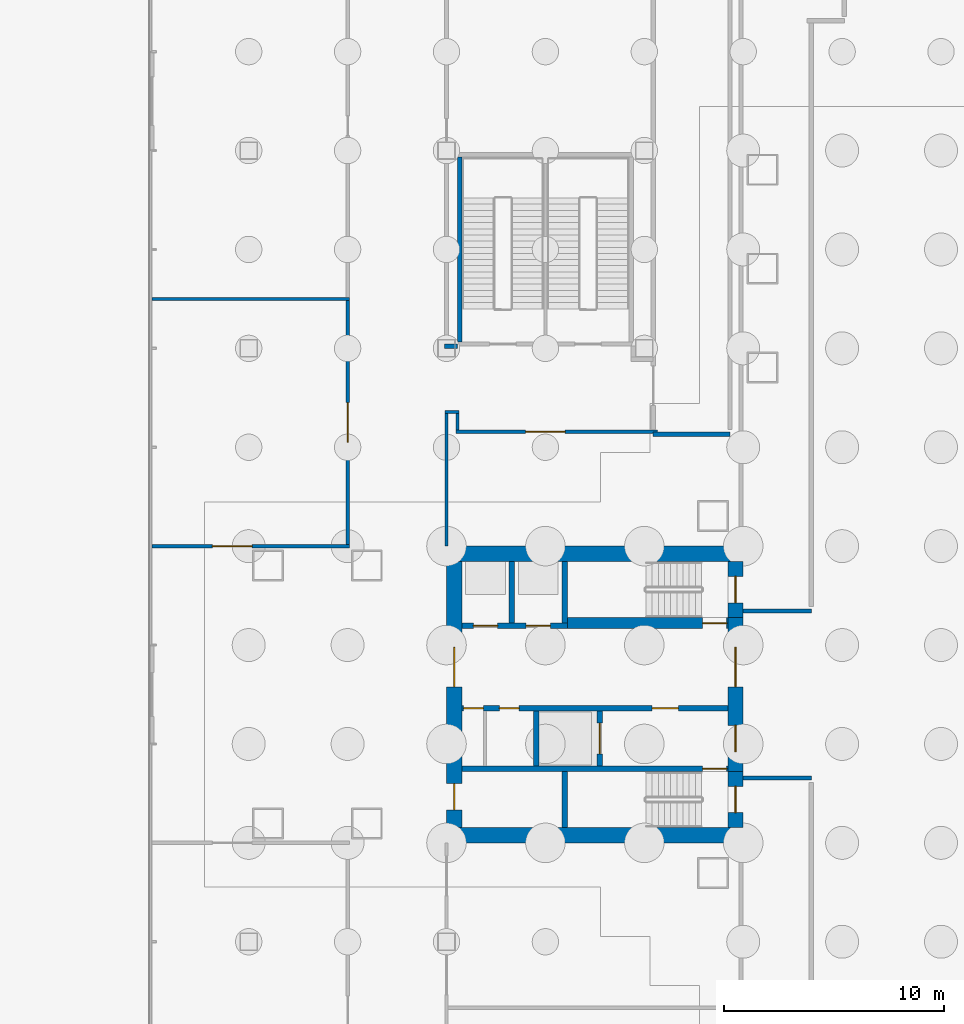
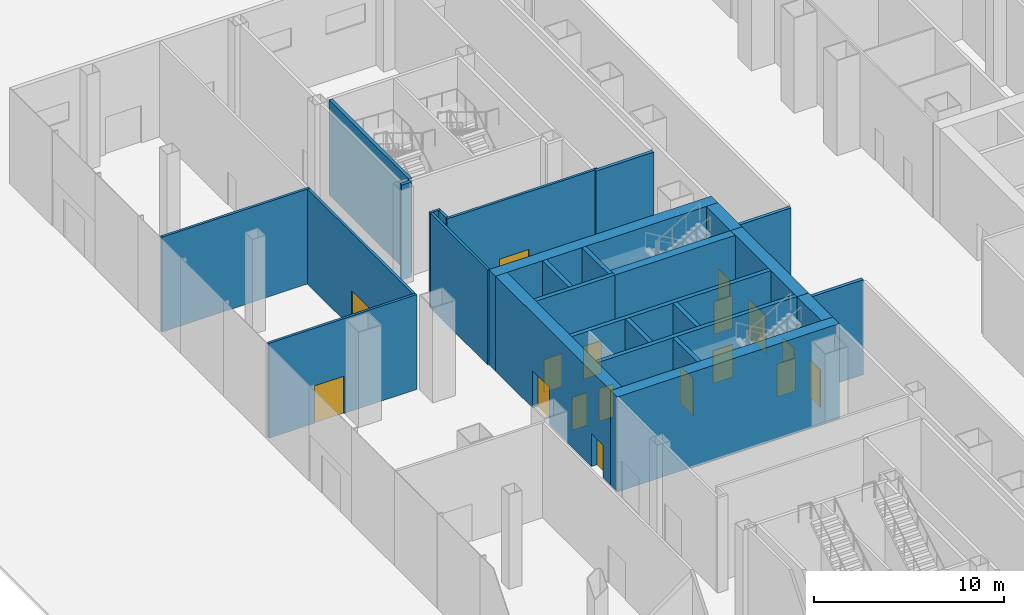
# One storey, part 18 of 37: 27 walls, 17 doors, 17 openings.
"""IFC4 building model written with IfcOpenShell, lengths in metres."""

from ifc_helpers import new_model, si_unit, direction, frame, frame_2d, origin, place, context, subcontext, project, spatial, rectangle, extrude, material, layer, layer_set, type_object, element, fill, save


model = new_model("IFC4")

# Units and contexts
model_context = context("Model", 3, precision=1e-05, world=origin(), true_north=direction((0.0, 1.0)))
body_context = subcontext(model_context, "Body", "Model", "MODEL_VIEW")
ifc_project = project(units=[si_unit("LENGTHUNIT", "METRE"), si_unit("AREAUNIT", "SQUARE_METRE"), si_unit("VOLUMEUNIT", "CUBIC_METRE"), si_unit("PLANEANGLEUNIT", "RADIAN"), si_unit("MASSUNIT", "GRAM", prefix="KILO")], contexts=[model_context])

# Site, building, storey
site_placement = place(None, origin())
site = spatial("IfcSite", under=ifc_project, at=site_placement, CompositionType="ELEMENT")
building_placement = place(site_placement, origin())
building = spatial("IfcBuilding", under=site, at=building_placement, Name="Shamsa Quay Exchange Towers", CompositionType="ELEMENT")
storey_placement = place(building_placement, origin())
storey = spatial("IfcBuildingStorey", under=building, at=storey_placement, Name="L00", CompositionType="ELEMENT", Elevation=0.0)

# Walls
ifc_material_1 = material(Name="Concrete C80/95", Category="concrete")
ifc_layer_1 = layer(ifc_material_1, 0.699951171875)
ifc_layer_set_1 = layer_set([ifc_layer_1], Name="CORE WALL 700 C80/95")
wall_type_1 = type_object("IfcWallType", Name="CORE WALL 700 C80/95", PredefinedType="SHEAR", material=ifc_layer_set_1)
for number, where, z_axis, x_axis, name in (
    (1, (-40.5, -6.39990234375, 0.0), (0.0, 0.0, 1.0), (-1.0, 0.0, 0.0), "Core wall T1B-L00-PS"),
    (2, (-40.5, 6.39990234375, 0.0), (0.0, 0.0, 1.0), (-1.0, 0.0, 0.0), "Core wall T1B-L00-PN"),
):
    element("IfcWall", number, at=place(storey_placement, frame(where, z_axis=z_axis, x_axis=x_axis)), inside=storey, type_object=wall_type_1, Name=name, PredefinedType="SHEAR", context=body_context, shape_type="SweptSolid", body=[
        extrude(rectangle(XDim=13.5, YDim=0.699951171875, at=frame_2d((6.75, 0.0))), origin(), (0.0, 0.0, 1.0), 6.10009765625),
    ])

# Wall, opening, door
wall_1_placement = place(storey_placement, frame((-40.85009765625, -3.5, 0.0), z_axis=(0.0, 0.0, 1.0), x_axis=(0.0, -1.0, 0.0)))
wall_1 = element("IfcWall", 3, at=wall_1_placement, inside=storey, type_object=wall_type_1, Name="Core wall T1B-L00-PFS", PredefinedType="SHEAR", context=body_context, shape_type="SweptSolid", body=[
    extrude(rectangle(XDim=2.550048828125, YDim=0.699951171875, at=frame_2d((1.27490234375, 0.0))), origin(), (0.0, 0.0, 1.0), 6.10009765625),
])
opening_1_placement = place(wall_1_placement, frame((0.675048828125, 0.0, 0.0)))
opening_1 = element("IfcOpeningElement", 4, at=opening_1_placement, cuts=wall_1, Name="Opening T1B-L00-XD01", PredefinedType="OPENING", context=body_context, shape_type="SweptSolid", body=[
    extrude(rectangle(XDim=1.199951171875, YDim=2.39990234375, at=frame_2d((0.60009765625, 1.199951171875))), frame((0.0, 0.35986328125, 0.0), z_axis=(0.0, -1.0, 0.0), x_axis=(1.0, 0.0, 0.0)), (0.0, 0.0, 1.0), 0.719970703125),
])
ifc_material_2 = material(Name="Steel, fire rated", Category="steel")
door_type_1 = type_object("IfcDoorType", Name="STAIR DISCHARGE DOOR 1200", OperationType="SINGLE_SWING_LEFT", PredefinedType="DOOR", material=ifc_material_2)
door_1_placement = place(opening_1_placement, origin())
door_1 = element("IfcDoor", 5, at=door_1_placement, inside=storey, type_object=door_type_1, Name="T1B-L00-XD01", OperationType="SINGLE_SWING_RIGHT", OverallHeight=2.39990234375, OverallWidth=1.199951171875, PredefinedType="DOOR", context=body_context, shape_type="SweptSolid", body=[
    extrude(rectangle(XDim=1.199951171875, YDim=2.39990234375, at=frame_2d((0.60009765625, 1.199951171875))), frame((0.0, 0.02490234375, 0.0), z_axis=(0.0, -1.0, 0.0), x_axis=(1.0, 0.0, 0.0)), (0.0, 0.0, 1.0), 0.050048828125),
])
fill(opening_1, door_1)

# Wall, openings, doors
wall_2_placement = place(storey_placement, frame((-40.85009765625, -3.5, 0.0), z_axis=(0.0, 0.0, 1.0), x_axis=(0.0, 1.0, 0.0)))
wall_2 = element("IfcWall", 6, at=wall_2_placement, inside=storey, type_object=wall_type_1, Name="Core wall T1B-L00-PF", PredefinedType="SHEAR", context=body_context, shape_type="SweptSolid", body=[
    extrude(rectangle(XDim=7.0, YDim=0.699951171875, at=frame_2d((3.5, 0.0))), origin(), (0.0, 0.0, 1.0), 6.10009765625),
])
opening_2_placement = place(wall_2_placement, frame((0.89990234375, 0.0, 0.0)))
opening_2 = element("IfcOpeningElement", 7, at=opening_2_placement, cuts=wall_2, Name="Opening T1B-L00-FD02", PredefinedType="OPENING", context=body_context, shape_type="SweptSolid", body=[
    extrude(rectangle(XDim=1.199951171875, YDim=2.10009765625, at=frame_2d((0.60009765625, 1.050048828125))), frame((0.0, 0.35986328125, 0.0), z_axis=(0.0, -1.0, 0.0), x_axis=(1.0, 0.0, 0.0)), (0.0, 0.0, 1.0), 0.719970703125),
])
opening_3_placement = place(wall_2_placement, frame((3.85009765625, 0.0, 0.0)))
opening_3 = element("IfcOpeningElement", 8, at=opening_3_placement, cuts=wall_2, Name="Opening T1B-L00-LBD03", PredefinedType="OPENING", context=body_context, shape_type="SweptSolid", body=[
    extrude(rectangle(XDim=1.800048828125, YDim=2.39990234375, at=frame_2d((0.89990234375, 1.199951171875))), frame((0.0, 0.35986328125, 0.0), z_axis=(0.0, -1.0, 0.0), x_axis=(1.0, 0.0, 0.0)), (0.0, 0.0, 1.0), 0.719970703125),
])
door_type_2 = type_object("IfcDoorType", Name="FIRE SERVICE LOBBY DOOR 1200", OperationType="SINGLE_SWING_LEFT", PredefinedType="DOOR", material=ifc_material_2)
door_2_placement = place(opening_2_placement, origin())
door_2 = element("IfcDoor", 9, at=door_2_placement, inside=storey, type_object=door_type_2, Name="T1B-L00-FD02", OperationType="SINGLE_SWING_LEFT", OverallHeight=2.10009765625, OverallWidth=1.199951171875, PredefinedType="DOOR", context=body_context, shape_type="SweptSolid", body=[
    extrude(rectangle(XDim=1.199951171875, YDim=2.10009765625, at=frame_2d((0.60009765625, 1.050048828125))), frame((0.0, 0.02490234375, 0.0), z_axis=(0.0, -1.0, 0.0), x_axis=(1.0, 0.0, 0.0)), (0.0, 0.0, 1.0), 0.050048828125),
])
fill(opening_2, door_2)
door_type_3 = type_object("IfcDoorType", Name="LIFT LOBBY DOOR PAIR 1800", OperationType="DOUBLE_DOOR_SINGLE_SWING", PredefinedType="DOOR", material=ifc_material_2)
door_3_placement = place(opening_3_placement, origin())
door_3 = element("IfcDoor", 10, at=door_3_placement, inside=storey, type_object=door_type_3, Name="T1B-L00-LBD03", OperationType="DOUBLE_DOOR_SINGLE_SWING", OverallHeight=2.39990234375, OverallWidth=1.800048828125, PredefinedType="DOOR", context=body_context, shape_type="SweptSolid", body=[
    extrude(rectangle(XDim=1.800048828125, YDim=2.39990234375, at=frame_2d((0.89990234375, 1.199951171875))), frame((0.0, 0.02490234375, 0.0), z_axis=(0.0, -1.0, 0.0), x_axis=(1.0, 0.0, 0.0)), (0.0, 0.0, 1.0), 0.050048828125),
])
fill(opening_3, door_3)

# Wall, opening, door
wall_3_placement = place(storey_placement, frame((-40.85009765625, 6.050048828125, 0.0), z_axis=(0.0, 0.0, 1.0), x_axis=(0.0, -1.0, 0.0)))
wall_3 = element("IfcWall", 11, at=wall_3_placement, inside=storey, type_object=wall_type_1, Name="Core wall T1B-L00-PFN", PredefinedType="SHEAR", context=body_context, shape_type="SweptSolid", body=[
    extrude(rectangle(XDim=2.550048828125, YDim=0.699951171875, at=frame_2d((1.27490234375, 0.0))), origin(), (0.0, 0.0, 1.0), 6.10009765625),
])
opening_4_placement = place(wall_3_placement, frame((0.675048828125, 0.0, 0.0)))
opening_4 = element("IfcOpeningElement", 12, at=opening_4_placement, cuts=wall_3, Name="Opening T1B-L00-XD04", PredefinedType="OPENING", context=body_context, shape_type="SweptSolid", body=[
    extrude(rectangle(XDim=1.199951171875, YDim=2.39990234375, at=frame_2d((0.60009765625, 1.199951171875))), frame((0.0, 0.35986328125, 0.0), z_axis=(0.0, -1.0, 0.0), x_axis=(1.0, 0.0, 0.0)), (0.0, 0.0, 1.0), 0.719970703125),
])
door_4_placement = place(opening_4_placement, origin())
door_4 = element("IfcDoor", 13, at=door_4_placement, inside=storey, type_object=door_type_1, Name="T1B-L00-XD04", OperationType="SINGLE_SWING_LEFT", OverallHeight=2.39990234375, OverallWidth=1.199951171875, PredefinedType="DOOR", context=body_context, shape_type="SweptSolid", body=[
    extrude(rectangle(XDim=1.199951171875, YDim=2.39990234375, at=frame_2d((0.60009765625, 1.199951171875))), frame((0.0, 0.02490234375, 0.0), z_axis=(0.0, -1.0, 0.0), x_axis=(1.0, 0.0, 0.0)), (0.0, 0.0, 1.0), 0.050048828125),
])
fill(opening_4, door_4)

# Wall, openings, doors
wall_4_placement = place(storey_placement, frame((-53.64990234375, -6.050048828125, 0.0), z_axis=(0.0, 0.0, 1.0), x_axis=(0.0, 1.0, 0.0)))
wall_4 = element("IfcWall", 14, at=wall_4_placement, inside=storey, type_object=wall_type_1, Name="Core wall T1B-L00-PB", PredefinedType="SHEAR", context=body_context, shape_type="SweptSolid", body=[
    extrude(rectangle(XDim=12.10009765625, YDim=0.699951171875, at=frame_2d((6.050048828125, 0.0))), origin(), (0.0, 0.0, 1.0), 6.10009765625),
])
opening_5_placement = place(wall_4_placement, frame((0.800048828125, 0.0, 0.0)))
opening_5 = element("IfcOpeningElement", 15, at=opening_5_placement, cuts=wall_4, Name="Opening T1B-L00-RD05", PredefinedType="OPENING", context=body_context, shape_type="SweptSolid", body=[
    extrude(rectangle(XDim=1.199951171875, YDim=2.10009765625, at=frame_2d((0.60009765625, 1.050048828125))), frame((0.0, 0.35986328125, 0.0), z_axis=(0.0, -1.0, 0.0), x_axis=(1.0, 0.0, 0.0)), (0.0, 0.0, 1.0), 0.719970703125),
])
opening_6_placement = place(wall_4_placement, frame((6.39990234375, 0.0, 0.0)))
opening_6 = element("IfcOpeningElement", 16, at=opening_6_placement, cuts=wall_4, Name="Opening T1B-L00-LBD06", PredefinedType="OPENING", context=body_context, shape_type="SweptSolid", body=[
    extrude(rectangle(XDim=1.800048828125, YDim=2.39990234375, at=frame_2d((0.89990234375, 1.199951171875))), frame((0.0, 0.35986328125, 0.0), z_axis=(0.0, -1.0, 0.0), x_axis=(1.0, 0.0, 0.0)), (0.0, 0.0, 1.0), 0.719970703125),
])
door_5_placement = place(opening_6_placement, origin())
door_5 = element("IfcDoor", 17, at=door_5_placement, inside=storey, type_object=door_type_3, Name="T1B-L00-LBD06", OperationType="DOUBLE_DOOR_SINGLE_SWING", OverallHeight=2.39990234375, OverallWidth=1.800048828125, PredefinedType="DOOR", context=body_context, shape_type="SweptSolid", body=[
    extrude(rectangle(XDim=1.800048828125, YDim=2.39990234375, at=frame_2d((0.89990234375, 1.199951171875))), frame((0.0, 0.02490234375, 0.0), z_axis=(0.0, -1.0, 0.0), x_axis=(1.0, 0.0, 0.0)), (0.0, 0.0, 1.0), 0.050048828125),
])
fill(opening_6, door_5)
door_type_4 = type_object("IfcDoorType", Name="RISER ACCESS DOOR 1200", OperationType="SINGLE_SWING_LEFT", PredefinedType="DOOR", material=ifc_material_2)
door_6_placement = place(opening_5_placement, origin())
door_6 = element("IfcDoor", 18, at=door_6_placement, inside=storey, type_object=door_type_4, Name="T1B-L00-RD05", OperationType="SINGLE_SWING_LEFT", OverallHeight=2.10009765625, OverallWidth=1.199951171875, PredefinedType="DOOR", context=body_context, shape_type="SweptSolid", body=[
    extrude(rectangle(XDim=1.199951171875, YDim=2.10009765625, at=frame_2d((0.60009765625, 1.050048828125))), frame((0.0, 0.02490234375, 0.0), z_axis=(0.0, -1.0, 0.0), x_axis=(1.0, 0.0, 0.0)), (0.0, 0.0, 1.0), 0.050048828125),
])
fill(opening_5, door_6)

# Wall, opening, door
ifc_material_3 = material(Name="Gypsum board partition on metal studs")
ifc_layer_2 = layer(ifc_material_3, 0.14990234375)
ifc_layer_set_2 = layer_set([ifc_layer_2], Name="Partition 150 mm EI 60")
wall_type_2 = type_object("IfcWallType", Name="Partition 150 mm EI 60", PredefinedType="PARTITIONING", material=ifc_layer_set_2)
wall_5_placement = place(storey_placement, frame((-53.574951171875, 11.9501953125, 0.0)))
wall_5 = element("IfcWall", 19, at=wall_5_placement, inside=storey, type_object=wall_type_2, Name="Partition PD-L00-W56", PredefinedType="PARTITIONING", context=body_context, shape_type="SweptSolid", body=[
    extrude(rectangle(XDim=9.175048828125, YDim=0.14990234375, at=frame_2d((4.58740234375, 0.0))), origin(), (0.0, 0.0, 1.0), 6.10009765625),
])
opening_7_placement = place(wall_5_placement, frame((3.175048828125, 0.0, 0.0)))
opening_7 = element("IfcOpeningElement", 20, at=opening_7_placement, cuts=wall_5, Name="Opening PD-L00-D11", PredefinedType="OPENING", context=body_context, shape_type="SweptSolid", body=[
    extrude(rectangle(XDim=1.800048828125, YDim=2.39990234375, at=frame_2d((0.89990234375, 1.199951171875))), frame((0.0, 0.0849609375, 0.0), z_axis=(0.0, -1.0, 0.0), x_axis=(1.0, 0.0, 0.0)), (0.0, 0.0, 1.0), 0.169921875),
])
ifc_material_4 = material(Name="Timber door leaf in a metal frame", Category="wood")
door_type_5 = type_object("IfcDoorType", Name="Door 1800x2400 FD30S pair", OperationType="NOTDEFINED", PredefinedType="DOOR", material=ifc_material_4)
door_7_placement = place(opening_7_placement, origin())
door_7 = element("IfcDoor", 21, at=door_7_placement, inside=storey, type_object=door_type_5, Name="Door PD-L00-D11", OperationType="DOUBLE_DOOR_SINGLE_SWING", OverallHeight=2.39990234375, OverallWidth=1.800048828125, PredefinedType="DOOR", context=body_context, shape_type="SweptSolid", body=[
    extrude(rectangle(XDim=1.800048828125, YDim=2.39990234375, at=frame_2d((0.89990234375, 1.199951171875))), frame((0.0, 0.02490234375, 0.0), z_axis=(0.0, -1.0, 0.0), x_axis=(1.0, 0.0, 0.0)), (0.0, 0.0, 1.0), 0.050048828125),
])
fill(opening_7, door_7)

wall_6_placement = place(storey_placement, frame((-58.425048828125, 6.75, 0.0), z_axis=(0.0, 0.0, 1.0), x_axis=(-1.0, 0.0, 0.0)))
wall_6 = element("IfcWall", 22, at=wall_6_placement, inside=storey, type_object=wall_type_2, Name="Partition PD-L00-W65", PredefinedType="PARTITIONING", context=body_context, shape_type="SweptSolid", body=[
    extrude(rectangle(XDim=8.97998046875, YDim=0.14990234375, at=frame_2d((4.489990234375, 0.0))), origin(), (0.0, 0.0, 1.0), 6.10009765625),
])
opening_8_placement = place(wall_6_placement, frame((4.425048828125, 0.0, 0.0)))
opening_8 = element("IfcOpeningElement", 23, at=opening_8_placement, cuts=wall_6, Name="Opening PD-L00-D05", PredefinedType="OPENING", context=body_context, shape_type="SweptSolid", body=[
    extrude(rectangle(XDim=1.800048828125, YDim=2.39990234375, at=frame_2d((0.89990234375, 1.199951171875))), frame((0.0, 0.0849609375, 0.0), z_axis=(0.0, -1.0, 0.0), x_axis=(1.0, 0.0, 0.0)), (0.0, 0.0, 1.0), 0.169921875),
])
door_8_placement = place(opening_8_placement, origin())
door_8 = element("IfcDoor", 24, at=door_8_placement, inside=storey, type_object=door_type_5, Name="Door PD-L00-D05", OperationType="DOUBLE_DOOR_SINGLE_SWING", OverallHeight=2.39990234375, OverallWidth=1.800048828125, PredefinedType="DOOR", context=body_context, shape_type="SweptSolid", body=[
    extrude(rectangle(XDim=1.800048828125, YDim=2.39990234375, at=frame_2d((0.89990234375, 1.199951171875))), frame((0.0, 0.02490234375, 0.0), z_axis=(0.0, -1.0, 0.0), x_axis=(1.0, 0.0, 0.0)), (0.0, 0.0, 1.0), 0.050048828125),
])
fill(opening_8, door_8)

# Wall
wall_7_placement = place(storey_placement, frame((-54.0, 6.75, 0.0), z_axis=(0.0, 0.0, 1.0), x_axis=(0.0, 1.0, 0.0)))
element("IfcWall", 25, at=wall_7_placement, inside=storey, type_object=wall_type_2, Name="Partition PD-L00-W69", PredefinedType="PARTITIONING", context=body_context, shape_type="SweptSolid", body=[
    extrude(rectangle(XDim=6.024658203125, YDim=0.14990234375, at=frame_2d((3.01220703125, 0.0))), origin(), (0.0, 0.0, 1.0), 6.10009765625),
])

# Wall, opening, door
wall_8_placement = place(storey_placement, frame((-58.5, 17.925048828125, 0.0), z_axis=(0.0, 0.0, 1.0), x_axis=(0.0, -1.0, 0.0)))
wall_8 = element("IfcWall", 26, at=wall_8_placement, inside=storey, type_object=wall_type_2, Name="Partition PD-L00-W71", PredefinedType="PARTITIONING", context=body_context, shape_type="SweptSolid", body=[
    extrude(rectangle(XDim=11.10009765625, YDim=0.14990234375, at=frame_2d((5.550048828125, 0.0))), origin(), (0.0, 0.0, 1.0), 6.10009765625),
])
opening_9_placement = place(wall_8_placement, frame((4.64990234375, 0.0, 0.0)))
opening_9 = element("IfcOpeningElement", 27, at=opening_9_placement, cuts=wall_8, Name="Opening PD-L00-D06", PredefinedType="OPENING", context=body_context, shape_type="SweptSolid", body=[
    extrude(rectangle(XDim=1.800048828125, YDim=2.39990234375, at=frame_2d((0.89990234375, 1.199951171875))), frame((0.0, 0.0849609375, 0.0), z_axis=(0.0, -1.0, 0.0), x_axis=(1.0, 0.0, 0.0)), (0.0, 0.0, 1.0), 0.169921875),
])
door_9_placement = place(opening_9_placement, origin())
door_9 = element("IfcDoor", 28, at=door_9_placement, inside=storey, type_object=door_type_5, Name="Door PD-L00-D06", OperationType="DOUBLE_DOOR_SINGLE_SWING", OverallHeight=2.39990234375, OverallWidth=1.800048828125, PredefinedType="DOOR", context=body_context, shape_type="SweptSolid", body=[
    extrude(rectangle(XDim=1.800048828125, YDim=2.39990234375, at=frame_2d((0.89990234375, 1.199951171875))), frame((0.0, 0.02490234375, 0.0), z_axis=(0.0, -1.0, 0.0), x_axis=(1.0, 0.0, 0.0)), (0.0, 0.0, 1.0), 0.050048828125),
])
fill(opening_9, door_9)

# Walls
wall_9_placement = place(storey_placement, frame((-53.5, 12.774658203125, 0.0), z_axis=(0.0, 0.0, 1.0), x_axis=(0.0, -1.0, 0.0)))
element("IfcWall", 29, at=wall_9_placement, inside=storey, type_object=wall_type_2, Name="Partition PD-L00-W76", PredefinedType="PARTITIONING", context=body_context, shape_type="SweptSolid", body=[
    extrude(rectangle(XDim=0.74951171875, YDim=0.14990234375, at=frame_2d((0.374755859375, 0.0))), origin(), (0.0, 0.0, 1.0), 6.10009765625),
])
wall_10_placement = place(storey_placement, frame((-54.074951171875, 12.849609375, 0.0)))
element("IfcWall", 30, at=wall_10_placement, inside=storey, type_object=wall_type_2, Name="Partition PD-L00-W78", PredefinedType="PARTITIONING", context=body_context, shape_type="SweptSolid", body=[
    extrude(rectangle(XDim=0.64990234375, YDim=0.14990234375, at=frame_2d((0.324951171875, 0.0))), origin(), (0.0, 0.0, 1.0), 6.10009765625),
])
wall_11_placement = place(storey_placement, frame((-58.425048828125, 18.0, 0.0), z_axis=(0.0, 0.0, 1.0), x_axis=(-1.0, 0.0, 0.0)))
element("IfcWall", 31, at=wall_11_placement, inside=storey, type_object=wall_type_2, Name="Partition PD-L00-W99", PredefinedType="PARTITIONING", context=body_context, shape_type="SweptSolid", body=[
    extrude(rectangle(XDim=8.97998046875, YDim=0.14990234375, at=frame_2d((4.489990234375, 0.0))), origin(), (0.0, 0.0, 1.0), 6.10009765625),
])
ifc_layer_3 = layer(ifc_material_3, 0.199951171875)
ifc_layer_set_3 = layer_set([ifc_layer_3], Name="Partition 200 mm EI 120")
wall_type_3 = type_object("IfcWallType", Name="Partition 200 mm EI 120", PredefinedType="PARTITIONING", material=ifc_layer_set_3)
wall_12_placement = place(storey_placement, frame((-37.39990234375, -3.80029296875, 0.0), z_axis=(0.0, 0.0, 1.0), x_axis=(-1.0, 0.0, 0.0)))
element("IfcWall", 32, at=wall_12_placement, inside=storey, type_object=wall_type_3, Name="Partition PD-L00-W06", PredefinedType="PARTITIONING", context=body_context, shape_type="SweptSolid", body=[
    extrude(rectangle(XDim=3.10009765625, YDim=0.199951171875, at=frame_2d((1.550048828125, 0.0))), origin(), (0.0, 0.0, 1.0), 6.10009765625),
])
wall_13_placement = place(storey_placement, frame((-40.5, 3.80029296875, 0.0)))
element("IfcWall", 33, at=wall_13_placement, inside=storey, type_object=wall_type_3, Name="Partition PD-L00-W15", PredefinedType="PARTITIONING", context=body_context, shape_type="SweptSolid", body=[
    extrude(rectangle(XDim=3.10009765625, YDim=0.199951171875, at=frame_2d((1.550048828125, 0.0))), origin(), (0.0, 0.0, 1.0), 6.10009765625),
])
wall_14_placement = place(storey_placement, frame((-44.60009765625, 11.85009765625, 0.0)))
element("IfcWall", 34, at=wall_14_placement, inside=storey, type_object=wall_type_3, Name="Partition PD-L00-W26", PredefinedType="PARTITIONING", context=body_context, shape_type="SweptSolid", body=[
    extrude(rectangle(XDim=3.5, YDim=0.199951171875, at=frame_2d((1.75, 0.0))), origin(), (0.0, 0.0, 1.0), 6.10009765625),
])
ifc_layer_4 = layer(ifc_material_3, 0.199951171875)
ifc_layer_set_4 = layer_set([ifc_layer_4], Name="Partition 200 mm EI 90")
wall_type_4 = type_object("IfcWallType", Name="Partition 200 mm EI 90", PredefinedType="PARTITIONING", material=ifc_layer_set_4)
wall_15_placement = place(storey_placement, frame((-54.10009765625, 15.849609375, 0.0)))
element("IfcWall", 35, at=wall_15_placement, inside=storey, type_object=wall_type_4, Name="Partition PD-L00-W80", PredefinedType="PARTITIONING", context=body_context, shape_type="SweptSolid", body=[
    extrude(rectangle(XDim=0.60009765625, YDim=0.199951171875, at=frame_2d((0.300048828125, 0.0))), origin(), (0.0, 0.0, 1.0), 6.10009765625),
])

# Wall, opening, door
ifc_material_5 = material(Name="Concrete C50/60", Category="concrete")
ifc_layer_5 = layer(ifc_material_5, 0.25)
ifc_layer_set_5 = layer_set([ifc_layer_5], Name="SHAFT WALL 250 C50/60")
wall_type_5 = type_object("IfcWallType", Name="SHAFT WALL 250 C50/60", PredefinedType="SHEAR", material=ifc_layer_set_5)
wall_16_placement = place(storey_placement, frame((-41.199951171875, -3.375, 0.0), z_axis=(0.0, 0.0, 1.0), x_axis=(-1.0, 0.0, 0.0)))
wall_16 = element("IfcWall", 36, at=wall_16_placement, inside=storey, type_object=wall_type_5, Name="Shaft wall T1B-L00-STL", PredefinedType="SHEAR", context=body_context, shape_type="SweptSolid", body=[
    extrude(rectangle(XDim=12.10009765625, YDim=0.25, at=frame_2d((6.050048828125, 0.0))), origin(), (0.0, 0.0, 1.0), 6.10009765625),
])
opening_10_placement = place(wall_16_placement, frame((0.050048828125, 0.0, 0.0)))
opening_10 = element("IfcOpeningElement", 37, at=opening_10_placement, cuts=wall_16, Name="Opening T1B-L00-SD07", PredefinedType="OPENING", context=body_context, shape_type="SweptSolid", body=[
    extrude(rectangle(XDim=1.10009765625, YDim=2.10009765625, at=frame_2d((0.550048828125, 1.050048828125))), frame((0.0, 0.135009765625, 0.0), z_axis=(0.0, -1.0, 0.0), x_axis=(1.0, 0.0, 0.0)), (0.0, 0.0, 1.0), 0.27001953125),
])
door_type_6 = type_object("IfcDoorType", Name="STAIR DOOR 1100", OperationType="SINGLE_SWING_LEFT", PredefinedType="DOOR", material=ifc_material_2)
door_10_placement = place(opening_10_placement, origin())
door_10 = element("IfcDoor", 38, at=door_10_placement, inside=storey, type_object=door_type_6, Name="T1B-L00-SD07", OperationType="SINGLE_SWING_LEFT", OverallHeight=2.10009765625, OverallWidth=1.10009765625, PredefinedType="DOOR", context=body_context, shape_type="SweptSolid", body=[
    extrude(rectangle(XDim=1.10009765625, YDim=2.10009765625, at=frame_2d((0.550048828125, 1.050048828125))), frame((0.0, 0.02490234375, 0.0), z_axis=(0.0, -1.0, 0.0), x_axis=(1.0, 0.0, 0.0)), (0.0, 0.0, 1.0), 0.050048828125),
])
fill(opening_10, door_10)

# Wall
wall_17_placement = place(storey_placement, frame((-48.625, -6.050048828125, 0.0), z_axis=(0.0, 0.0, 1.0), x_axis=(0.0, 1.0, 0.0)))
element("IfcWall", 39, at=wall_17_placement, inside=storey, type_object=wall_type_5, Name="Shaft wall T1B-L00-STF", PredefinedType="SHEAR", context=body_context, shape_type="SweptSolid", body=[
    extrude(rectangle(XDim=2.550048828125, YDim=0.25, at=frame_2d((1.27490234375, 0.0))), origin(), (0.0, 0.0, 1.0), 6.10009765625),
])

# Wall, openings, doors
wall_18_placement = place(storey_placement, frame((-41.199951171875, -0.625, 0.0), z_axis=(0.0, 0.0, 1.0), x_axis=(-1.0, 0.0, 0.0)))
wall_18 = element("IfcWall", 40, at=wall_18_placement, inside=storey, type_object=wall_type_5, Name="Shaft wall T1B-L00-B", PredefinedType="SHEAR", context=body_context, shape_type="SweptSolid", body=[
    extrude(rectangle(XDim=12.10009765625, YDim=0.25, at=frame_2d((6.050048828125, 0.0))), origin(), (0.0, 0.0, 1.0), 6.10009765625),
])
opening_11_placement = place(wall_18_placement, frame((2.25, 0.0, 0.0)))
opening_11 = element("IfcOpeningElement", 41, at=opening_11_placement, cuts=wall_18, Name="Opening T1B-L00-FD08", PredefinedType="OPENING", context=body_context, shape_type="SweptSolid", body=[
    extrude(rectangle(XDim=1.199951171875, YDim=2.10009765625, at=frame_2d((0.60009765625, 1.050048828125))), frame((0.0, 0.135009765625, 0.0), z_axis=(0.0, -1.0, 0.0), x_axis=(1.0, 0.0, 0.0)), (0.0, 0.0, 1.0), 0.27001953125),
])
opening_12_placement = place(wall_18_placement, frame((9.5, 0.0, 0.0)))
opening_12 = element("IfcOpeningElement", 42, at=opening_12_placement, cuts=wall_18, Name="Opening T1B-L00-SV09", PredefinedType="OPENING", context=body_context, shape_type="SweptSolid", body=[
    extrude(rectangle(XDim=0.89990234375, YDim=2.10009765625, at=frame_2d((0.449951171875, 1.050048828125))), frame((0.0, 0.135009765625, 0.0), z_axis=(0.0, -1.0, 0.0), x_axis=(1.0, 0.0, 0.0)), (0.0, 0.0, 1.0), 0.27001953125),
])
opening_13_placement = place(wall_18_placement, frame((11.125, 0.0, 0.0)))
opening_13 = element("IfcOpeningElement", 43, at=opening_13_placement, cuts=wall_18, Name="Opening T1B-L00-SV10", PredefinedType="OPENING", context=body_context, shape_type="SweptSolid", body=[
    extrude(rectangle(XDim=0.89990234375, YDim=2.10009765625, at=frame_2d((0.449951171875, 1.050048828125))), frame((0.0, 0.135009765625, 0.0), z_axis=(0.0, -1.0, 0.0), x_axis=(1.0, 0.0, 0.0)), (0.0, 0.0, 1.0), 0.27001953125),
])
door_11_placement = place(opening_11_placement, origin())
door_11 = element("IfcDoor", 44, at=door_11_placement, inside=storey, type_object=door_type_2, Name="T1B-L00-FD08", OperationType="SINGLE_SWING_LEFT", OverallHeight=2.10009765625, OverallWidth=1.199951171875, PredefinedType="DOOR", context=body_context, shape_type="SweptSolid", body=[
    extrude(rectangle(XDim=1.199951171875, YDim=2.10009765625, at=frame_2d((0.60009765625, 1.050048828125))), frame((0.0, 0.02490234375, 0.0), z_axis=(0.0, -1.0, 0.0), x_axis=(1.0, 0.0, 0.0)), (0.0, 0.0, 1.0), 0.050048828125),
])
fill(opening_11, door_11)
door_type_7 = type_object("IfcDoorType", Name="SERVICE ROOM DOOR 900", OperationType="SINGLE_SWING_LEFT", PredefinedType="DOOR", material=ifc_material_2)
door_12_placement = place(opening_12_placement, origin())
door_12 = element("IfcDoor", 45, at=door_12_placement, inside=storey, type_object=door_type_7, Name="T1B-L00-SV09", OperationType="SINGLE_SWING_RIGHT", OverallHeight=2.10009765625, OverallWidth=0.89990234375, PredefinedType="DOOR", context=body_context, shape_type="SweptSolid", body=[
    extrude(rectangle(XDim=0.89990234375, YDim=2.10009765625, at=frame_2d((0.449951171875, 1.050048828125))), frame((0.0, 0.02490234375, 0.0), z_axis=(0.0, -1.0, 0.0), x_axis=(1.0, 0.0, 0.0)), (0.0, 0.0, 1.0), 0.050048828125),
])
fill(opening_12, door_12)
door_13_placement = place(opening_13_placement, origin())
door_13 = element("IfcDoor", 46, at=door_13_placement, inside=storey, type_object=door_type_7, Name="T1B-L00-SV10", OperationType="SINGLE_SWING_RIGHT", OverallHeight=2.10009765625, OverallWidth=0.89990234375, PredefinedType="DOOR", context=body_context, shape_type="SweptSolid", body=[
    extrude(rectangle(XDim=0.89990234375, YDim=2.10009765625, at=frame_2d((0.449951171875, 1.050048828125))), frame((0.0, 0.02490234375, 0.0), z_axis=(0.0, -1.0, 0.0), x_axis=(1.0, 0.0, 0.0)), (0.0, 0.0, 1.0), 0.050048828125),
])
fill(opening_13, door_13)

# Wall, opening, door
wall_19_placement = place(storey_placement, frame((-47.02490234375, -3.25, 0.0), z_axis=(0.0, 0.0, 1.0), x_axis=(0.0, 1.0, 0.0)))
wall_19 = element("IfcWall", 47, at=wall_19_placement, inside=storey, type_object=wall_type_5, Name="Shaft wall T1B-L00-FFF", PredefinedType="SHEAR", context=body_context, shape_type="SweptSolid", body=[
    extrude(rectangle(XDim=2.5, YDim=0.25, at=frame_2d((1.25, 0.0))), origin(), (0.0, 0.0, 1.0), 6.10009765625),
])
opening_14_placement = place(wall_19_placement, frame((0.550048828125, 0.0, 0.0)))
opening_14 = element("IfcOpeningElement", 48, at=opening_14_placement, cuts=wall_19, Name="Opening T1B-L00-LDG11", PredefinedType="OPENING", context=body_context, shape_type="SweptSolid", body=[
    extrude(rectangle(XDim=1.39990234375, YDim=2.39990234375, at=frame_2d((0.699951171875, 1.199951171875))), frame((0.0, 0.135009765625, 0.0), z_axis=(0.0, -1.0, 0.0), x_axis=(1.0, 0.0, 0.0)), (0.0, 0.0, 1.0), 0.27001953125),
])
door_type_8 = type_object("IfcDoorType", Name="GOODS LIFT LANDING DOOR 1400", OperationType="SLIDING_TO_LEFT", PredefinedType="DOOR", material=ifc_material_2)
door_14_placement = place(opening_14_placement, origin())
door_14 = element("IfcDoor", 49, at=door_14_placement, inside=storey, type_object=door_type_8, Name="T1B-L00-LDG11", OperationType="SLIDING_TO_LEFT", OverallHeight=2.39990234375, OverallWidth=1.39990234375, PredefinedType="DOOR", context=body_context, shape_type="SweptSolid", body=[
    extrude(rectangle(XDim=1.39990234375, YDim=2.39990234375, at=frame_2d((0.699951171875, 1.199951171875))), frame((0.0, 0.02490234375, 0.0), z_axis=(0.0, -1.0, 0.0), x_axis=(1.0, 0.0, 0.0)), (0.0, 0.0, 1.0), 0.050048828125),
])
fill(opening_14, door_14)

# Wall
wall_20_placement = place(storey_placement, frame((-49.925048828125, -3.25, 0.0), z_axis=(0.0, 0.0, 1.0), x_axis=(0.0, 1.0, 0.0)))
element("IfcWall", 50, at=wall_20_placement, inside=storey, type_object=wall_type_5, Name="Shaft wall T1B-L00-FFB", PredefinedType="SHEAR", context=body_context, shape_type="SweptSolid", body=[
    extrude(rectangle(XDim=2.5, YDim=0.25, at=frame_2d((1.25, 0.0))), origin(), (0.0, 0.0, 1.0), 6.10009765625),
])

# Wall, openings, doors
wall_21_placement = place(storey_placement, frame((-48.5, 3.125, 0.0), z_axis=(0.0, 0.0, 1.0), x_axis=(-1.0, 0.0, 0.0)))
wall_21 = element("IfcWall", 51, at=wall_21_placement, inside=storey, type_object=wall_type_5, Name="Shaft wall T1B-L00-N2", PredefinedType="SHEAR", context=body_context, shape_type="SweptSolid", body=[
    extrude(rectangle(XDim=4.800048828125, YDim=0.25, at=frame_2d((2.39990234375, 0.0))), origin(), (0.0, 0.0, 1.0), 6.10009765625),
])
opening_15_placement = place(wall_21_placement, frame((0.77490234375, 0.0, 0.0)))
opening_15 = element("IfcOpeningElement", 52, at=opening_15_placement, cuts=wall_21, Name="Opening T1B-L00-LD13", PredefinedType="OPENING", context=body_context, shape_type="SweptSolid", body=[
    extrude(rectangle(XDim=1.10009765625, YDim=2.10009765625, at=frame_2d((0.550048828125, 1.050048828125))), frame((0.0, 0.135009765625, 0.0), z_axis=(0.0, -1.0, 0.0), x_axis=(1.0, 0.0, 0.0)), (0.0, 0.0, 1.0), 0.27001953125),
])
opening_16_placement = place(wall_21_placement, frame((3.175048828125, 0.0, 0.0)))
opening_16 = element("IfcOpeningElement", 53, at=opening_16_placement, cuts=wall_21, Name="Opening T1B-L00-LD14", PredefinedType="OPENING", context=body_context, shape_type="SweptSolid", body=[
    extrude(rectangle(XDim=1.10009765625, YDim=2.10009765625, at=frame_2d((0.550048828125, 1.050048828125))), frame((0.0, 0.135009765625, 0.0), z_axis=(0.0, -1.0, 0.0), x_axis=(1.0, 0.0, 0.0)), (0.0, 0.0, 1.0), 0.27001953125),
])
door_type_9 = type_object("IfcDoorType", Name="LANDING DOOR 1100", OperationType="SLIDING_TO_LEFT", PredefinedType="DOOR", material=ifc_material_2)
door_15_placement = place(opening_15_placement, origin())
door_15 = element("IfcDoor", 54, at=door_15_placement, inside=storey, type_object=door_type_9, Name="T1B-L00-LD13", OperationType="SLIDING_TO_LEFT", OverallHeight=2.10009765625, OverallWidth=1.10009765625, PredefinedType="DOOR", context=body_context, shape_type="SweptSolid", body=[
    extrude(rectangle(XDim=1.10009765625, YDim=2.10009765625, at=frame_2d((0.550048828125, 1.050048828125))), frame((0.0, 0.02490234375, 0.0), z_axis=(0.0, -1.0, 0.0), x_axis=(1.0, 0.0, 0.0)), (0.0, 0.0, 1.0), 0.050048828125),
])
fill(opening_15, door_15)
door_16_placement = place(opening_16_placement, origin())
door_16 = element("IfcDoor", 55, at=door_16_placement, inside=storey, type_object=door_type_9, Name="T1B-L00-LD14", OperationType="SLIDING_TO_LEFT", OverallHeight=2.10009765625, OverallWidth=1.10009765625, PredefinedType="DOOR", context=body_context, shape_type="SweptSolid", body=[
    extrude(rectangle(XDim=1.10009765625, YDim=2.10009765625, at=frame_2d((0.550048828125, 1.050048828125))), frame((0.0, 0.02490234375, 0.0), z_axis=(0.0, -1.0, 0.0), x_axis=(1.0, 0.0, 0.0)), (0.0, 0.0, 1.0), 0.050048828125),
])
fill(opening_16, door_16)

# Walls
for number, where, z_axis, x_axis, name in (
    (56, (-48.625, 3.25, 0.0), (0.0, 0.0, 1.0), (0.0, 1.0, 0.0), "Shaft wall T1B-L00-STF2"),
    (57, (-51.02490234375, 3.25, 0.0), (0.0, 0.0, 1.0), (0.0, 1.0, 0.0), "Shaft wall T1B-L00-D0"),
):
    element("IfcWall", number, at=place(storey_placement, frame(where, z_axis=z_axis, x_axis=x_axis)), inside=storey, type_object=wall_type_5, Name=name, PredefinedType="SHEAR", context=body_context, shape_type="SweptSolid", body=[
        extrude(rectangle(XDim=2.800048828125, YDim=0.25, at=frame_2d((1.39990234375, 0.0))), origin(), (0.0, 0.0, 1.0), 6.10009765625),
    ])

# Wall, opening, door
ifc_layer_6 = layer(ifc_material_5, 0.5)
ifc_layer_set_6 = layer_set([ifc_layer_6], Name="SHAFT WALL 500 C50/60")
wall_type_6 = type_object("IfcWallType", Name="SHAFT WALL 500 C50/60", PredefinedType="SHEAR", material=ifc_layer_set_6)
wall_22_placement = place(storey_placement, frame((-48.5, 3.25, 0.0)))
wall_22 = element("IfcWall", 58, at=wall_22_placement, inside=storey, type_object=wall_type_6, Name="Shaft wall T1B-L00-N", PredefinedType="SHEAR", context=body_context, shape_type="SweptSolid", body=[
    extrude(rectangle(XDim=7.300048828125, YDim=0.5, at=frame_2d((3.64990234375, 0.0))), origin(), (0.0, 0.0, 1.0), 6.10009765625),
])
opening_17_placement = place(wall_22_placement, frame((6.14990234375, 0.0, 0.0)))
opening_17 = element("IfcOpeningElement", 59, at=opening_17_placement, cuts=wall_22, Name="Opening T1B-L00-SD12", PredefinedType="OPENING", context=body_context, shape_type="SweptSolid", body=[
    extrude(rectangle(XDim=1.10009765625, YDim=2.10009765625, at=frame_2d((0.550048828125, 1.050048828125))), frame((0.0, 0.260009765625, 0.0), z_axis=(0.0, -1.0, 0.0), x_axis=(1.0, 0.0, 0.0)), (0.0, 0.0, 1.0), 0.52001953125),
])
door_17_placement = place(opening_17_placement, origin())
door_17 = element("IfcDoor", 60, at=door_17_placement, inside=storey, type_object=door_type_6, Name="T1B-L00-SD12", OperationType="SINGLE_SWING_RIGHT", OverallHeight=2.10009765625, OverallWidth=1.10009765625, PredefinedType="DOOR", context=body_context, shape_type="SweptSolid", body=[
    extrude(rectangle(XDim=1.10009765625, YDim=2.10009765625, at=frame_2d((0.550048828125, 1.050048828125))), frame((0.0, 0.02490234375, 0.0), z_axis=(0.0, -1.0, 0.0), x_axis=(1.0, 0.0, 0.0)), (0.0, 0.0, 1.0), 0.050048828125),
])
fill(opening_17, door_17)

# Wall
ifc_layer_7 = layer(ifc_material_5, 0.199951171875)
ifc_layer_set_7 = layer_set([ifc_layer_7], Name="STAIR ENCLOSURE WALL 200 C50/60")
wall_type_7 = type_object("IfcWallType", Name="STAIR ENCLOSURE WALL 200 C50/60", PredefinedType="SHEAR", material=ifc_layer_set_7)
wall_23_placement = place(storey_placement, frame((-53.39990234375, 16.050048828125, 0.0), z_axis=(0.0, 0.0, 1.0), x_axis=(0.0, 1.0, 0.0)))
element("IfcWall", 61, at=wall_23_placement, inside=storey, type_object=wall_type_7, Name="Stair enclosure wall PS1 west", PredefinedType="SHEAR", context=body_context, shape_type="SweptSolid", body=[
    extrude(rectangle(XDim=8.39990234375, YDim=0.199951171875, at=frame_2d((4.199951171875, 0.0))), origin(), (0.0, 0.0, 1.0), 6.10009765625),
])

save(model, "model.ifc")
